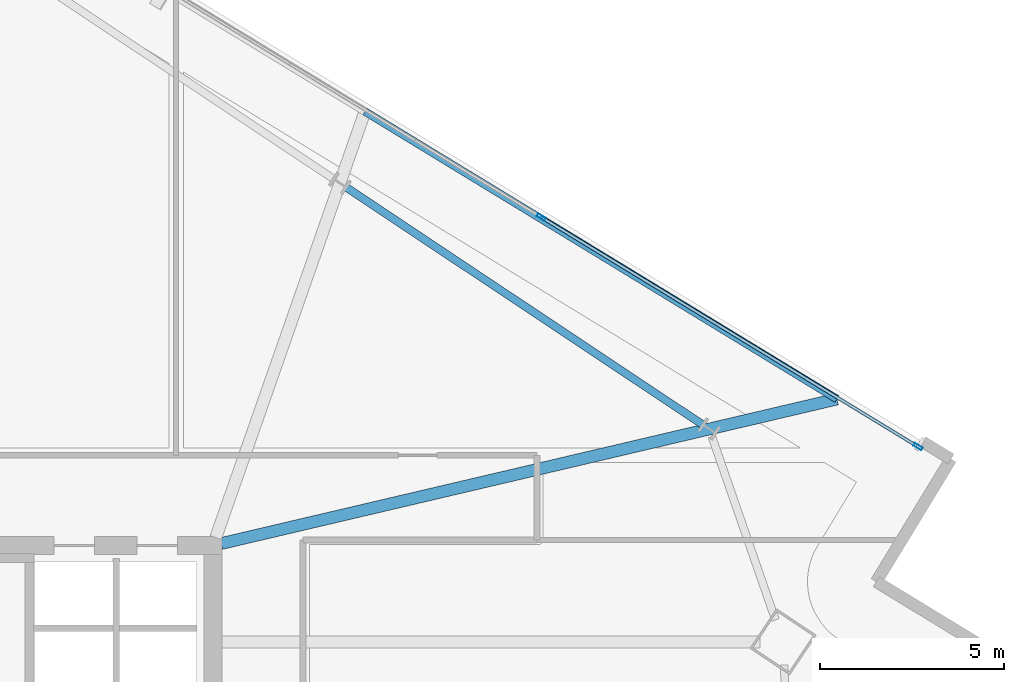
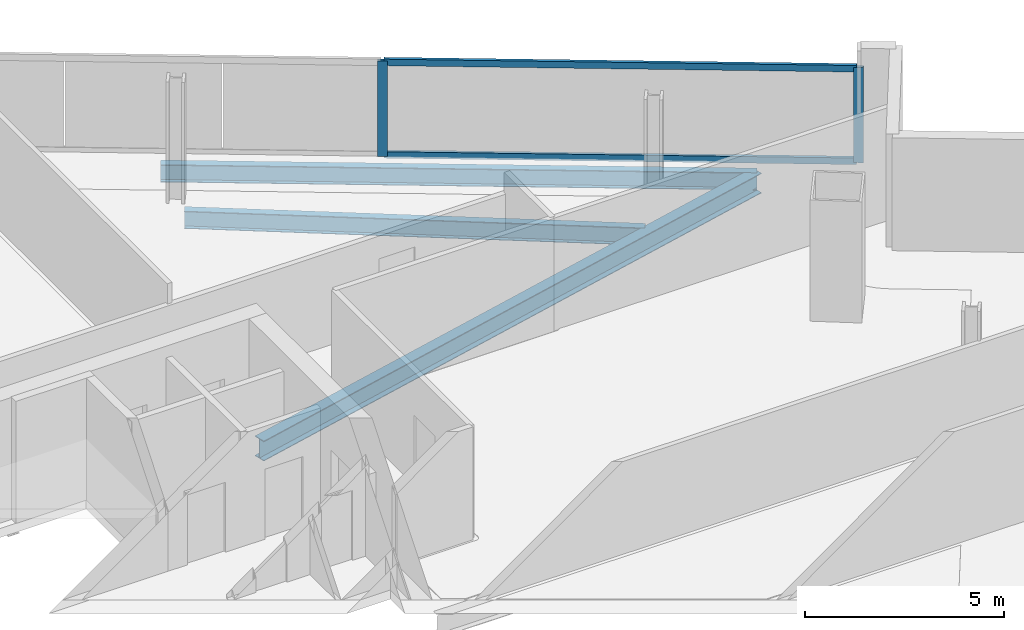
# One storey, part 18 of 28: 4 members, 3 beams, 1 element without a shape of its own.
"""IFC4 building model written with IfcOpenShell, lengths in metres."""

from ifc_helpers import new_model, si_unit, direction, frame, origin, origin_2d, place, context, subcontext, project, spatial, hollow_rectangle, i_section, extrude, material, material_profile, profile_set, type_object, element, aggregate, save


model = new_model("IFC4")

# Units and contexts
model_context = context("Model", 3, precision=1e-05, world=origin(), true_north=direction((0.0, 1.0)))
body_context = subcontext(model_context, "Body", "Model", "MODEL_VIEW")
ifc_project = project(units=[si_unit("LENGTHUNIT", "METRE"), si_unit("AREAUNIT", "SQUARE_METRE"), si_unit("VOLUMEUNIT", "CUBIC_METRE"), si_unit("PLANEANGLEUNIT", "RADIAN"), si_unit("MASSUNIT", "GRAM", prefix="KILO")], contexts=[model_context])

# Site, building, storey
site_placement = place(None, origin())
site = spatial("IfcSite", under=ifc_project, at=site_placement, CompositionType="ELEMENT")
building_placement = place(site_placement, origin())
building = spatial("IfcBuilding", under=site, at=building_placement, Name="Haldenkirk Collegiate Tower", CompositionType="ELEMENT")
storey_placement = place(building_placement, frame((0.0, 0.0, 224.699951171875)))
storey = spatial("IfcBuildingStorey", under=building, at=storey_placement, Name="L56", CompositionType="ELEMENT", Elevation=224.699951171875)

# Beams
ifc_material_1 = material(Name="Steel ASTM A992 Grade 50", Category="steel")
ifc_material_profile_1 = material_profile(ifc_material_1, i_section(OverallWidth=0.324951171875, OverallDepth=0.615966796875, WebThickness=0.013916015625, FlangeThickness=0.021484375, at=origin_2d()), Name="W24X117")
ifc_profile_set_1 = profile_set([ifc_material_profile_1], Name="Steel ASTM A992 Grade 50")
beam_type_1 = type_object("IfcBeamType", Name="BM-GIRDER-W24X117", PredefinedType="BEAM", material=ifc_profile_set_1)
beam_1_placement = place(storey_placement, frame((61.9501953125, 37.977783203125, -0.587890625), z_axis=(-0.973550810473, -0.228470609549, 0.0), x_axis=(0.228470609549, -0.973550810473, 0.0)))
element("IfcBeam", 1, at=beam_1_placement, inside=storey, type_object=beam_type_1, Name="L56 primary floor girder 08", PredefinedType="BEAM", context=body_context, shape_type="SweptSolid", body=[
    extrude(i_section(OverallWidth=0.324951171875, OverallDepth=0.615966796875, WebThickness=0.013916015625, FlangeThickness=0.021484375, at=origin_2d()), origin(), (0.0, 0.0, 1.0), 17.1806640625),
])
ifc_material_profile_2 = material_profile(ifc_material_1, i_section(OverallWidth=0.2099609375, OverallDepth=0.537109375, WebThickness=0.010986328125, FlangeThickness=0.017333984375, at=origin_2d()), Name="W21X68")
ifc_profile_set_2 = profile_set([ifc_material_profile_2], Name="Steel ASTM A992 Grade 50")
beam_type_2 = type_object("IfcBeamType", Name="BM-SPANDREL-W21X68", PredefinedType="SPANDREL", material=ifc_profile_set_2)
beam_2_placement = place(storey_placement, frame((58.30029296875, 37.28369140625, -0.54833984375), z_axis=(-0.832431545828, 0.554127892738, 0.0), x_axis=(-0.554127892738, -0.832431545828, 0.0)))
element("IfcBeam", 2, at=beam_2_placement, inside=storey, type_object=beam_type_2, Name="L56 perimeter spandrel beam 06", PredefinedType="SPANDREL", context=body_context, shape_type="SweptSolid", body=[
    extrude(i_section(OverallWidth=0.2099609375, OverallDepth=0.537109375, WebThickness=0.010986328125, FlangeThickness=0.017333984375, at=origin_2d()), origin(), (0.0, 0.0, 1.0), 11.619140625),
])
beam_3_placement = place(storey_placement, frame((61.9501953125, 37.977783203125, -0.54833984375), z_axis=(-0.854008197291, 0.520259549609, 0.0), x_axis=(-0.520259549609, -0.854008197291, 0.0)))
element("IfcBeam", 3, at=beam_3_placement, inside=storey, type_object=beam_type_2, Name="L56 outer facade edge beam 2A", PredefinedType="SPANDREL", context=body_context, shape_type="SweptSolid", body=[
    extrude(i_section(OverallWidth=0.2099609375, OverallDepth=0.537109375, WebThickness=0.010986328125, FlangeThickness=0.017333984375, at=origin_2d()), origin(), (0.0, 0.0, 1.0), 15.0126953125),
])

# Curtain wall, members
ifc_material_2 = material(Name="Anodised architectural bronze aluminium", Category="aluminium")
curtain_wall_type = type_object("IfcCurtainWallType", Name="CW-SYS1B-CONVEX-HI", PredefinedType="USERDEFINED", material=ifc_material_2)
curtain_wall_placement = place(storey_placement, origin())
curtain_wall = element("IfcCurtainWall", 4, at=curtain_wall_placement, inside=storey, type_object=curtain_wall_type, Name="L56 Upper tower high-wind convex bronze unitised curtain wall", ObjectType="UNITISED CURTAIN WALL", PredefinedType="USERDEFINED")
ifc_material_profile_3 = material_profile(ifc_material_2, hollow_rectangle(XDim=0.0849609375, YDim=0.25, WallThickness=0.0048828125, at=origin_2d()), Name="CW-MUL-1B")
ifc_profile_set_3 = profile_set([ifc_material_profile_3], Name="Anodised architectural bronze aluminium")
member_type_1 = type_object("IfcMemberType", Name="CW-MUL-1B", PredefinedType="MULLION", material=ifc_profile_set_3)
member_1_placement = place(storey_placement, frame((53.917724609375, 42.91796875, 0.0), z_axis=(0.0, 0.0, 1.0), x_axis=(0.520264898994, 0.854004938437, 0.0)))
member_1 = element("IfcMember", 5, at=member_1_placement, type_object=member_type_1, Name="CW-1B mullion 3", PredefinedType="MULLION", context=body_context, shape_type="SweptSolid", body=[
    extrude(hollow_rectangle(XDim=0.0849609375, YDim=0.25, WallThickness=0.0048828125, at=origin_2d()), origin(), (0.0, 0.0, 1.0), 2.927978515625),
])
member_2_placement = place(storey_placement, frame((64.15087890625, 36.683837890625, 0.0), z_axis=(0.0, 0.0, 1.0), x_axis=(0.520264898994, 0.854004938437, 0.0)))
member_2 = element("IfcMember", 6, at=member_2_placement, type_object=member_type_1, Name="CW-1B mullion 4", PredefinedType="MULLION", context=body_context, shape_type="SweptSolid", body=[
    extrude(hollow_rectangle(XDim=0.0849609375, YDim=0.25, WallThickness=0.0048828125, at=origin_2d()), origin(), (0.0, 0.0, 1.0), 2.927978515625),
])
ifc_material_profile_4 = material_profile(ifc_material_2, hollow_rectangle(XDim=0.0849609375, YDim=0.199951171875, WallThickness=0.0048828125, at=origin_2d()), Name="CW-TRN-1B")
ifc_profile_set_4 = profile_set([ifc_material_profile_4], Name="Anodised architectural bronze aluminium")
member_type_2 = type_object("IfcMemberType", Name="CW-TRN-1B", PredefinedType="USERDEFINED", material=ifc_profile_set_4)
member_3_placement = place(storey_placement, frame((53.9541015625, 42.89599609375, 0.04248046875), z_axis=(0.853998779276, -0.520275009005, 0.0), x_axis=(0.520275009005, 0.853998779276, 0.0)))
member_3 = element("IfcMember", 7, at=member_3_placement, type_object=member_type_2, Name="CW-1B transom 3.1", ObjectType="TRANSOM", PredefinedType="USERDEFINED", context=body_context, shape_type="SweptSolid", body=[
    extrude(hollow_rectangle(XDim=0.0849609375, YDim=0.199951171875, WallThickness=0.0048828125, at=origin_2d()), origin(), (0.0, 0.0, 1.0), 11.8974609375),
])
member_4_placement = place(storey_placement, frame((53.9541015625, 42.89599609375, 2.885498046875), z_axis=(0.853998779276, -0.520275009005, 0.0), x_axis=(0.520275009005, 0.853998779276, 0.0)))
member_4 = element("IfcMember", 8, at=member_4_placement, type_object=member_type_2, Name="CW-1B transom 3.2", ObjectType="TRANSOM", PredefinedType="USERDEFINED", context=body_context, shape_type="SweptSolid", body=[
    extrude(hollow_rectangle(XDim=0.0849609375, YDim=0.199951171875, WallThickness=0.0048828125, at=origin_2d()), origin(), (0.0, 0.0, 1.0), 11.8974609375),
])
aggregate(curtain_wall, [member_1, member_2, member_3, member_4])

save(model, "model.ifc")
